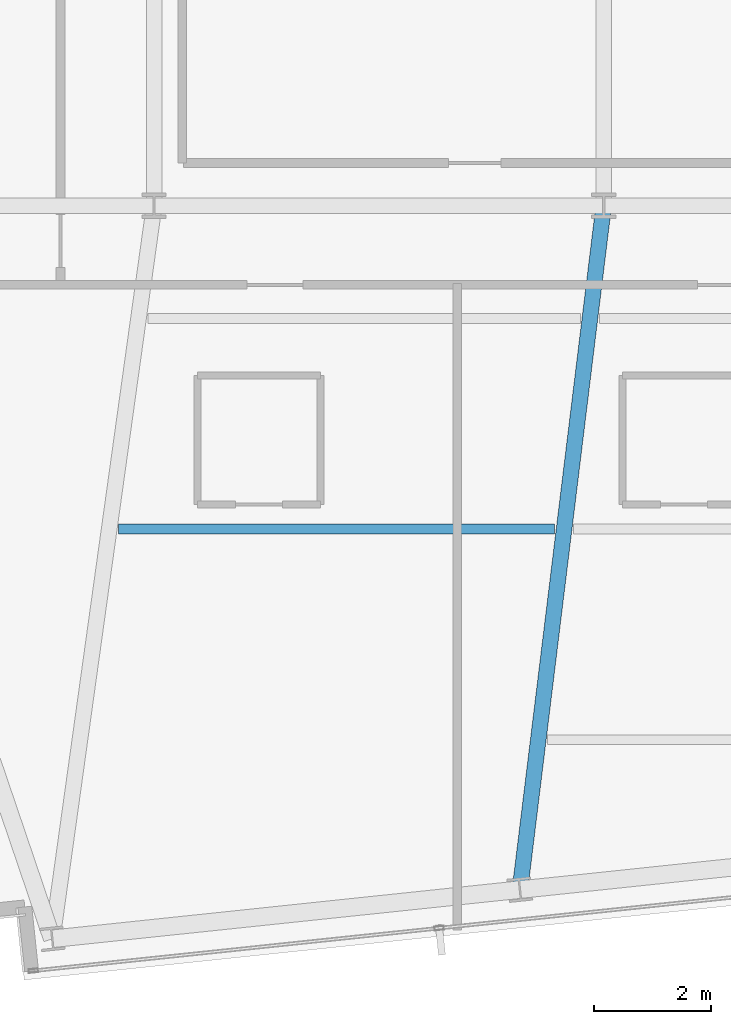
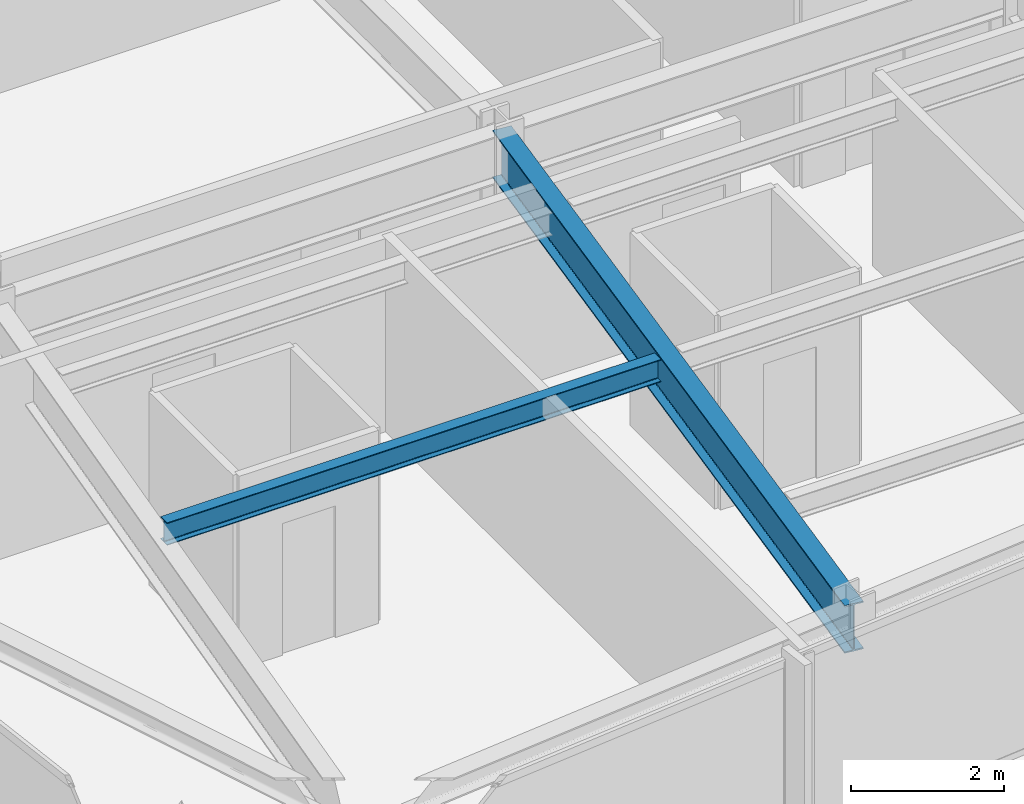
# One storey, part 4 of 33: 2 beams.
"""IFC4 building model written with IfcOpenShell, lengths in metres."""

from ifc_helpers import new_model, si_unit, direction, frame, origin, origin_2d, place, context, subcontext, project, spatial, i_section, extrude, material, material_profile, profile_set, type_object, element, save


model = new_model("IFC4")

# Units and contexts
model_context = context("Model", 3, precision=1e-05, world=origin(), true_north=direction((0.0, 1.0)))
body_context = subcontext(model_context, "Body", "Model", "MODEL_VIEW")
ifc_project = project(units=[si_unit("LENGTHUNIT", "METRE"), si_unit("AREAUNIT", "SQUARE_METRE"), si_unit("VOLUMEUNIT", "CUBIC_METRE"), si_unit("PLANEANGLEUNIT", "RADIAN"), si_unit("MASSUNIT", "GRAM", prefix="KILO")], contexts=[model_context])

# Site, building, storey
site_placement = place(None, origin())
site = spatial("IfcSite", under=ifc_project, at=site_placement, CompositionType="ELEMENT")
building_placement = place(site_placement, origin())
building = spatial("IfcBuilding", under=site, at=building_placement, Name="Yelkora Congress Tower", CompositionType="ELEMENT")
storey_placement = place(building_placement, frame((0.0, 0.0, 221.0)))
storey = spatial("IfcBuildingStorey", under=building, at=storey_placement, Name="L61", CompositionType="ELEMENT", Elevation=221.0)

# Beams
ifc_material = material(Name="Steel S355J2", Category="steel")
ifc_material_profile_1 = material_profile(ifc_material, i_section(OverallWidth=0.26708984375, OverallDepth=0.761962890625, WebThickness=0.014404296875, FlangeThickness=0.021484375, FilletRadius=0.01708984375, at=origin_2d()), Name="IPE 750x173")
ifc_profile_set_1 = profile_set([ifc_material_profile_1], Name="Steel S355J2")
beam_type_1 = type_object("IfcBeamType", Name="BM-GIRD-IPE750", PredefinedType="BEAM", material=ifc_profile_set_1)
beam_1_placement = place(storey_placement, frame((29.288330078125, 13.518310546875, 2.698974609375), z_axis=(0.121644630436, 0.992573717104, 0.0), x_axis=(-0.992573717104, 0.121644630436, 0.0)))
element("IfcBeam", 1, at=beam_1_placement, inside=storey, type_object=beam_type_1, Name="L61 Primary Frame Girder S02", PredefinedType="BEAM", context=body_context, shape_type="SweptSolid", body=[
    extrude(i_section(OverallWidth=0.26708984375, OverallDepth=0.761962890625, WebThickness=0.014404296875, FlangeThickness=0.021484375, FilletRadius=0.01708984375, at=origin_2d()), origin(), (0.0, 0.0, 1.0), 11.76904296875),
])
ifc_material_profile_2 = material_profile(ifc_material, i_section(OverallWidth=0.169921875, OverallDepth=0.360107421875, WebThickness=0.008056640625, FlangeThickness=0.0126953125, FilletRadius=0.01806640625, at=origin_2d()), Name="IPE 360")
ifc_profile_set_2 = profile_set([ifc_material_profile_2], Name="Steel S355J2")
beam_type_2 = type_object("IfcBeamType", Name="BM-JOIST-IPE360", PredefinedType="JOIST", material=ifc_profile_set_2)
beam_2_placement = place(storey_placement, frame((22.432373046875, 19.678466796875, 2.89990234375), z_axis=(1.0, 0.0, 0.0), x_axis=(0.0, 1.0, 0.0)))
element("IfcBeam", 2, at=beam_2_placement, inside=storey, type_object=beam_type_2, Name="L61 Composite Floor Joist 3", PredefinedType="JOIST", context=body_context, shape_type="SweptSolid", body=[
    extrude(i_section(OverallWidth=0.169921875, OverallDepth=0.360107421875, WebThickness=0.008056640625, FlangeThickness=0.0126953125, FilletRadius=0.01806640625, at=origin_2d()), origin(), (0.0, 0.0, 1.0), 7.450927734375),
])

save(model, "model.ifc")
